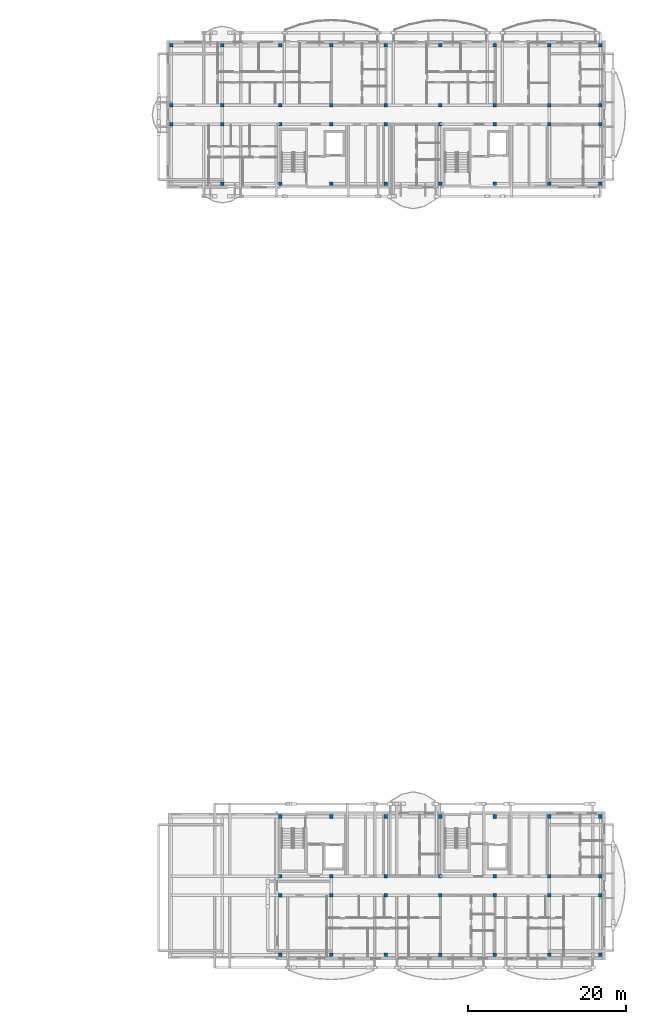
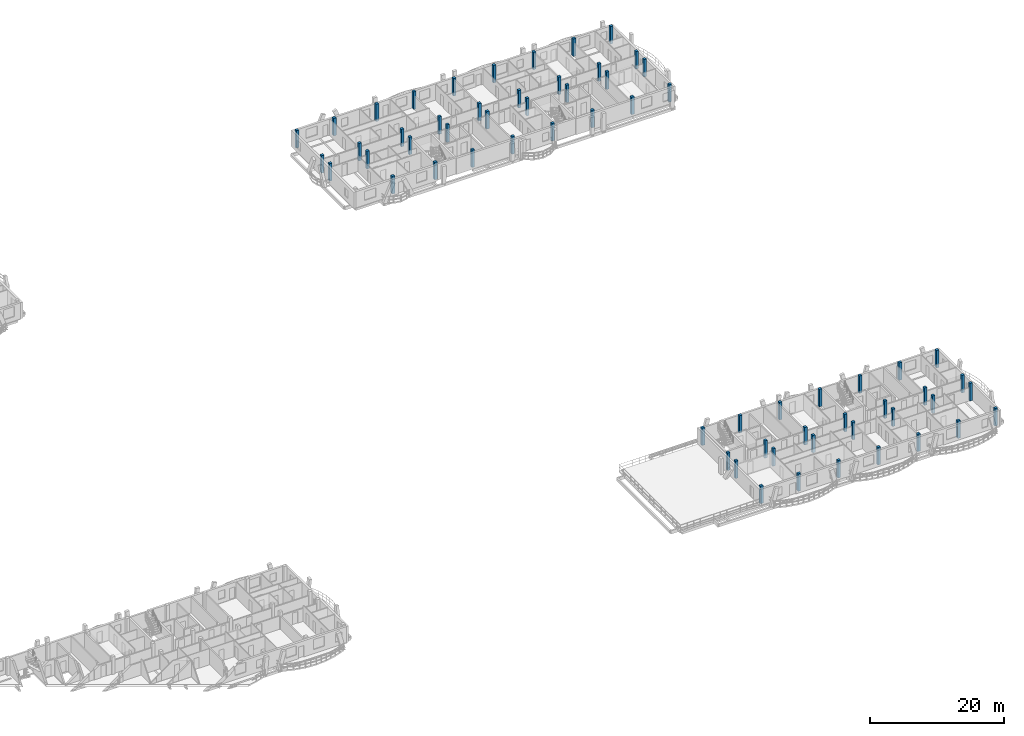
# One storey, part 2 of 48: 63 columns.
"""IFC4 building model written with IfcOpenShell, lengths in metres."""

from ifc_helpers import new_model, si_unit, direction, frame, origin, origin_2d, place, context, subcontext, project, spatial, rectangle, extrude, material, material_profile, profile_set, type_object, element, save


model = new_model("IFC4")

# Units and contexts
model_context = context("Model", 3, precision=1e-05, world=origin(), true_north=direction((0.0, 1.0)))
body_context = subcontext(model_context, "Body", "Model", "MODEL_VIEW")
ifc_project = project(units=[si_unit("LENGTHUNIT", "METRE"), si_unit("AREAUNIT", "SQUARE_METRE"), si_unit("VOLUMEUNIT", "CUBIC_METRE"), si_unit("PLANEANGLEUNIT", "RADIAN"), si_unit("MASSUNIT", "GRAM", prefix="KILO")], contexts=[model_context])

# Site, building, storey
site_placement = place(None, origin())
site = spatial("IfcSite", under=ifc_project, at=site_placement, CompositionType="ELEMENT")
building_placement = place(site_placement, origin())
building = spatial("IfcBuilding", under=site, at=building_placement, Name="Zavelmont Quarter", CompositionType="ELEMENT")
storey_placement = place(building_placement, frame((0.0, 0.0, 17.60009765625)))
storey = spatial("IfcBuildingStorey", under=building, at=storey_placement, Name="L05", CompositionType="ELEMENT", Elevation=17.60009765625)

# Columns
ifc_material = material(Name="Concrete C35/45", Category="concrete")
ifc_material_profile = material_profile(ifc_material, rectangle(XDim=0.449951171875, YDim=0.449951171875, at=origin_2d()), Name="RC450X450")
ifc_profile_set = profile_set([ifc_material_profile], Name="Concrete C35/45")
column_type = type_object("IfcColumnType", Name="CL04", PredefinedType="COLUMN", material=ifc_profile_set)
for number, where, z_axis, x_axis, name in (
    (1, (113.239990234375, 105.60009765625, 0.0), (0.0, 0.0, 1.0), (1.0, 0.0, 0.0), "L05 column CL04 at 17/Q"),
    (2, (113.239990234375, 108.0, 0.0), (0.0, 0.0, 1.0), (1.0, 0.0, 0.0), "L05 column CL04 at 17/R"),
    (3, (113.239990234375, 115.56005859375, 0.0), (0.0, 0.0, 1.0), (1.0, 0.0, 0.0), "L05 column CL04 at 17/S"),
    (4, (119.699951171875, 98.0400390625, 0.0), (0.0, 0.0, 1.0), (1.0, 0.0, 0.0), "L05 column CL04 at 18/P"),
    (5, (119.699951171875, 105.60009765625, 0.0), (0.0, 0.0, 1.0), (1.0, 0.0, 0.0), "L05 column CL04 at 18/Q"),
    (6, (119.699951171875, 108.0, 0.0), (0.0, 0.0, 1.0), (1.0, 0.0, 0.0), "L05 column CL04 at 18/R"),
    (7, (119.699951171875, 115.56005859375, 0.0), (0.0, 0.0, 1.0), (1.0, 0.0, 0.0), "L05 column CL04 at 18/S"),
    (8, (127.0400390625, 98.0400390625, 0.0), (0.0, 0.0, 1.0), (1.0, 0.0, 0.0), "L05 column CL04 at 19/P"),
    (9, (127.0400390625, 105.60009765625, 0.0), (0.0, 0.0, 1.0), (1.0, 0.0, 0.0), "L05 column CL04 at 19/Q"),
    (10, (127.0400390625, 108.0, 0.0), (0.0, 0.0, 1.0), (1.0, 0.0, 0.0), "L05 column CL04 at 19/R"),
    (11, (127.0400390625, 115.56005859375, 0.0), (0.0, 0.0, 1.0), (1.0, 0.0, 0.0), "L05 column CL04 at 19/S"),
    (12, (133.5, 98.0400390625, 0.0), (0.0, 0.0, 1.0), (1.0, 0.0, 0.0), "L05 column CL04 at 20/P"),
    (13, (133.5, 105.60009765625, 0.0), (0.0, 0.0, 1.0), (1.0, 0.0, 0.0), "L05 column CL04 at 20/Q"),
    (14, (133.5, 108.0, 0.0), (0.0, 0.0, 1.0), (1.0, 0.0, 0.0), "L05 column CL04 at 20/R"),
    (15, (133.5, 115.56005859375, 0.0), (0.0, 0.0, 1.0), (1.0, 0.0, 0.0), "L05 column CL04 at 20/S"),
    (16, (140.39990234375, 98.0400390625, 0.0), (0.0, 0.0, 1.0), (1.0, 0.0, 0.0), "L05 column CL04 at 21/P"),
    (17, (140.39990234375, 105.60009765625, 0.0), (0.0, 0.0, 1.0), (1.0, 0.0, 0.0), "L05 column CL04 at 21/Q"),
    (18, (140.39990234375, 108.0, 0.0), (0.0, 0.0, 1.0), (1.0, 0.0, 0.0), "L05 column CL04 at 21/R"),
    (19, (140.39990234375, 115.56005859375, 0.0), (0.0, 0.0, 1.0), (1.0, 0.0, 0.0), "L05 column CL04 at 21/S"),
    (20, (147.300048828125, 98.0400390625, 0.0), (0.0, 0.0, 1.0), (1.0, 0.0, 0.0), "L05 column CL04 at 22/P"),
    (21, (147.300048828125, 105.60009765625, 0.0), (0.0, 0.0, 1.0), (1.0, 0.0, 0.0), "L05 column CL04 at 22/Q"),
    (22, (147.300048828125, 108.0, 0.0), (0.0, 0.0, 1.0), (1.0, 0.0, 0.0), "L05 column CL04 at 22/R"),
    (23, (147.300048828125, 115.56005859375, 0.0), (0.0, 0.0, 1.0), (1.0, 0.0, 0.0), "L05 column CL04 at 22/S"),
    (24, (154.199951171875, 98.0400390625, 0.0), (0.0, 0.0, 1.0), (1.0, 0.0, 0.0), "L05 column CL04 at 23/P"),
    (25, (154.199951171875, 105.60009765625, 0.0), (0.0, 0.0, 1.0), (1.0, 0.0, 0.0), "L05 column CL04 at 23/Q"),
    (26, (154.199951171875, 108.0, 0.0), (0.0, 0.0, 1.0), (1.0, 0.0, 0.0), "L05 column CL04 at 23/R"),
    (27, (154.199951171875, 115.56005859375, 0.0), (0.0, 0.0, 1.0), (1.0, 0.0, 0.0), "L05 column CL04 at 23/S"),
    (28, (161.10009765625, 98.0400390625, 0.0), (0.0, 0.0, 1.0), (1.0, 0.0, 0.0), "L05 column CL04 at 24/P"),
    (29, (161.10009765625, 105.60009765625, 0.0), (0.0, 0.0, 1.0), (1.0, 0.0, 0.0), "L05 column CL04 at 24/Q"),
    (30, (161.10009765625, 108.0, 0.0), (0.0, 0.0, 1.0), (1.0, 0.0, 0.0), "L05 column CL04 at 24/R"),
    (31, (161.10009765625, 115.56005859375, 0.0), (0.0, 0.0, 1.0), (1.0, 0.0, 0.0), "L05 column CL04 at 24/S"),
    (32, (167.56005859375, 98.0400390625, 0.0), (0.0, 0.0, 1.0), (1.0, 0.0, 0.0), "L05 column CL04 at 25/P"),
    (33, (167.56005859375, 105.60009765625, 0.0), (0.0, 0.0, 1.0), (1.0, 0.0, 0.0), "L05 column CL04 at 25/Q"),
    (34, (167.56005859375, 108.0, 0.0), (0.0, 0.0, 1.0), (1.0, 0.0, 0.0), "L05 column CL04 at 25/R"),
    (35, (167.56005859375, 115.56005859375, 0.0), (0.0, 0.0, 1.0), (1.0, 0.0, 0.0), "L05 column CL04 at 25/S"),
    (36, (127.0400390625, 0.43994140625, 0.0), (0.0, 0.0, 1.0), (1.0, 0.0, 0.0), "L05 column CL04 at 19/A"),
    (37, (127.0400390625, 8.0, 0.0), (0.0, 0.0, 1.0), (1.0, 0.0, 0.0), "L05 column CL04 at 19/B"),
    (38, (127.0400390625, 10.39990234375, 0.0), (0.0, 0.0, 1.0), (1.0, 0.0, 0.0), "L05 column CL04 at 19/C"),
    (39, (127.0400390625, 17.9599609375, 0.0), (0.0, 0.0, 1.0), (1.0, 0.0, 0.0), "L05 column CL04 at 19/D"),
    (40, (133.5, 0.43994140625, 0.0), (0.0, 0.0, 1.0), (1.0, 0.0, 0.0), "L05 column CL04 at 20/A"),
    (41, (133.5, 8.0, 0.0), (0.0, 0.0, 1.0), (1.0, 0.0, 0.0), "L05 column CL04 at 20/B"),
    (42, (133.5, 10.39990234375, 0.0), (0.0, 0.0, 1.0), (1.0, 0.0, 0.0), "L05 column CL04 at 20/C"),
    (43, (133.5, 17.9599609375, 0.0), (0.0, 0.0, 1.0), (1.0, 0.0, 0.0), "L05 column CL04 at 20/D"),
    (44, (140.39990234375, 0.43994140625, 0.0), (0.0, 0.0, 1.0), (1.0, 0.0, 0.0), "L05 column CL04 at 21/A"),
    (45, (140.39990234375, 8.0, 0.0), (0.0, 0.0, 1.0), (1.0, 0.0, 0.0), "L05 column CL04 at 21/B"),
    (46, (140.39990234375, 10.39990234375, 0.0), (0.0, 0.0, 1.0), (1.0, 0.0, 0.0), "L05 column CL04 at 21/C"),
    (47, (140.39990234375, 17.9599609375, 0.0), (0.0, 0.0, 1.0), (1.0, 0.0, 0.0), "L05 column CL04 at 21/D"),
    (48, (147.300048828125, 0.43994140625, 0.0), (0.0, 0.0, 1.0), (1.0, 0.0, 0.0), "L05 column CL04 at 22/A"),
    (49, (147.300048828125, 8.0, 0.0), (0.0, 0.0, 1.0), (1.0, 0.0, 0.0), "L05 column CL04 at 22/B"),
    (50, (147.300048828125, 10.39990234375, 0.0), (0.0, 0.0, 1.0), (1.0, 0.0, 0.0), "L05 column CL04 at 22/C"),
    (51, (147.300048828125, 17.9599609375, 0.0), (0.0, 0.0, 1.0), (1.0, 0.0, 0.0), "L05 column CL04 at 22/D"),
    (52, (154.199951171875, 0.43994140625, 0.0), (0.0, 0.0, 1.0), (1.0, 0.0, 0.0), "L05 column CL04 at 23/A"),
    (53, (154.199951171875, 8.0, 0.0), (0.0, 0.0, 1.0), (1.0, 0.0, 0.0), "L05 column CL04 at 23/B"),
    (54, (154.199951171875, 10.39990234375, 0.0), (0.0, 0.0, 1.0), (1.0, 0.0, 0.0), "L05 column CL04 at 23/C"),
    (55, (154.199951171875, 17.9599609375, 0.0), (0.0, 0.0, 1.0), (1.0, 0.0, 0.0), "L05 column CL04 at 23/D"),
    (56, (161.10009765625, 0.43994140625, 0.0), (0.0, 0.0, 1.0), (1.0, 0.0, 0.0), "L05 column CL04 at 24/A"),
    (57, (161.10009765625, 8.0, 0.0), (0.0, 0.0, 1.0), (1.0, 0.0, 0.0), "L05 column CL04 at 24/B"),
    (58, (161.10009765625, 10.39990234375, 0.0), (0.0, 0.0, 1.0), (1.0, 0.0, 0.0), "L05 column CL04 at 24/C"),
    (59, (161.10009765625, 17.9599609375, 0.0), (0.0, 0.0, 1.0), (1.0, 0.0, 0.0), "L05 column CL04 at 24/D"),
    (60, (167.56005859375, 0.43994140625, 0.0), (0.0, 0.0, 1.0), (1.0, 0.0, 0.0), "L05 column CL04 at 25/A"),
    (61, (167.56005859375, 8.0, 0.0), (0.0, 0.0, 1.0), (1.0, 0.0, 0.0), "L05 column CL04 at 25/B"),
    (62, (167.56005859375, 10.39990234375, 0.0), (0.0, 0.0, 1.0), (1.0, 0.0, 0.0), "L05 column CL04 at 25/C"),
    (63, (167.56005859375, 17.9599609375, 0.0), (0.0, 0.0, 1.0), (1.0, 0.0, 0.0), "L05 column CL04 at 25/D"),
):
    element("IfcColumn", number, at=place(storey_placement, frame(where, z_axis=z_axis, x_axis=x_axis)), inside=storey, type_object=column_type, Name=name, PredefinedType="COLUMN", context=body_context, shape_type="SweptSolid", body=[
        extrude(rectangle(XDim=0.449951171875, YDim=0.449951171875, at=origin_2d()), origin(), (0.0, 0.0, 1.0), 3.199951171875),
    ])

save(model, "model.ifc")
